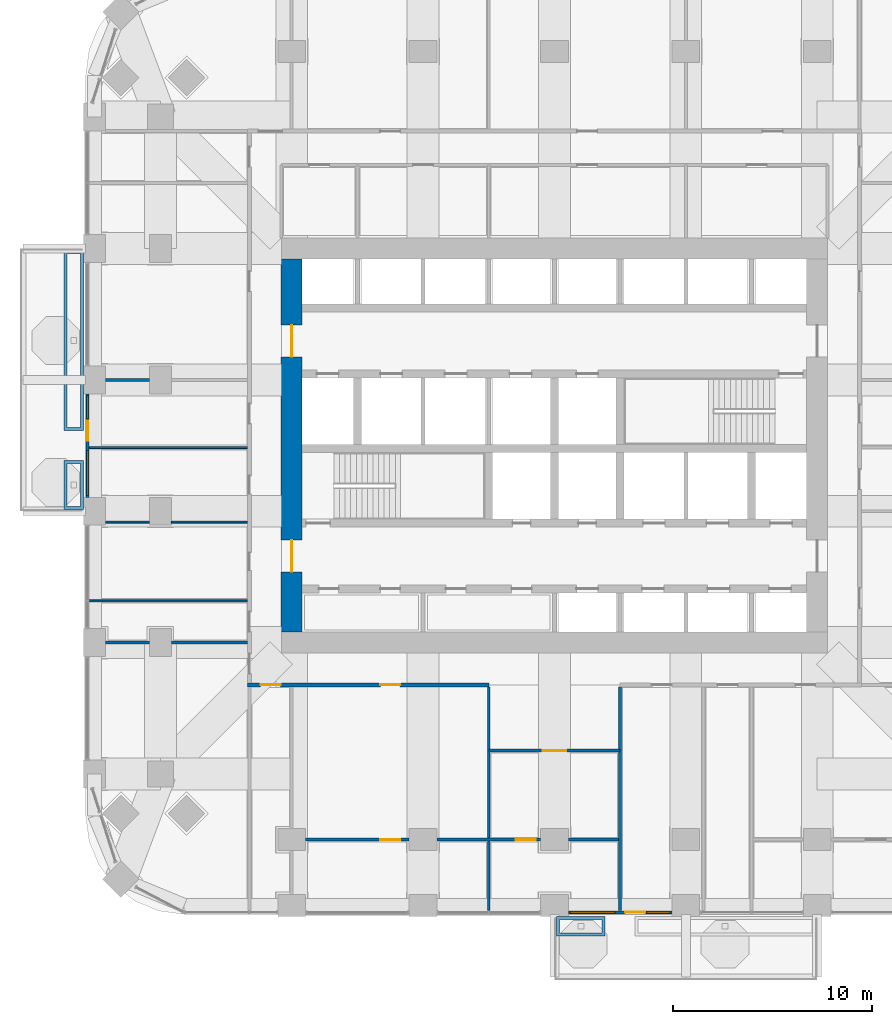
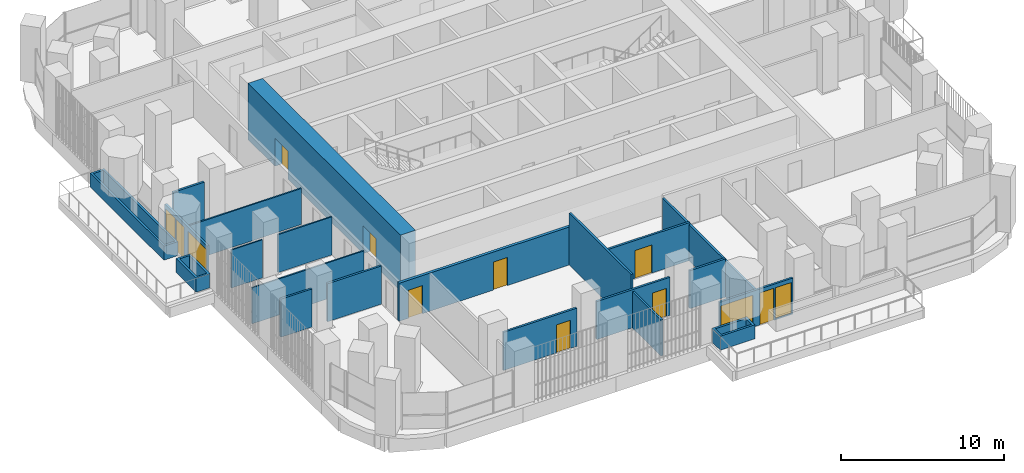
# One storey, part 14 of 23: 21 walls, 9 doors, 4 windows, 13 openings.
"""IFC4 building model written with IfcOpenShell, lengths in metres."""

from ifc_helpers import new_model, si_unit, direction, frame, frame_2d, origin, place, context, subcontext, project, spatial, polyline, rectangle, outline, extrude, material, layer, layer_set, type_object, element, fill, save


model = new_model("IFC4")

# Units and contexts
model_context = context("Model", 3, precision=1e-05, world=origin(), true_north=direction((0.0, 1.0)))
body_context = subcontext(model_context, "Body", "Model", "MODEL_VIEW")
ifc_project = project(units=[si_unit("LENGTHUNIT", "METRE"), si_unit("AREAUNIT", "SQUARE_METRE"), si_unit("VOLUMEUNIT", "CUBIC_METRE"), si_unit("PLANEANGLEUNIT", "RADIAN"), si_unit("MASSUNIT", "GRAM", prefix="KILO")], contexts=[model_context])

# Site, building, storey
site_placement = place(None, origin())
site = spatial("IfcSite", under=ifc_project, at=site_placement, CompositionType="ELEMENT")
building_placement = place(site_placement, origin())
building = spatial("IfcBuilding", under=site, at=building_placement, Name="Cobogo Forest Laboratory Tower", CompositionType="ELEMENT")
storey_placement = place(building_placement, frame((0.0, 0.0, 128.39990234375)))
storey = spatial("IfcBuildingStorey", under=building, at=storey_placement, Name="L29", CompositionType="ELEMENT", Elevation=128.39990234375)

# Wall, openings, doors
ifc_material_1 = material(Name="Concrete HA-50 (C50/60)", Category="concrete")
ifc_layer_1 = layer(ifc_material_1, 1.050048828125)
ifc_layer_set_1 = layer_set([ifc_layer_1], Name="CW1050 core outer wall 1050")
wall_type_1 = type_object("IfcWallType", Name="CW1050 core outer wall 1050", PredefinedType="SHEAR", material=ifc_layer_set_1)
wall_1_placement = place(storey_placement, frame((13.199951171875, 32.47509765625, 0.0), z_axis=(0.0, 0.0, 1.0), x_axis=(0.0, -1.0, 0.0)))
wall_1 = element("IfcWall", 1, at=wall_1_placement, inside=storey, type_object=wall_type_1, Name="Core wall CO-W L29", PredefinedType="SHEAR", context=body_context, shape_type="SweptSolid", body=[
    extrude(rectangle(XDim=18.75, YDim=1.050048828125, at=frame_2d((9.375, 0.0))), origin(), (0.0, 0.0, 1.0), 4.2001953125),
])
opening_1_placement = place(wall_1_placement, frame((14.125, 0.0, 0.0)))
opening_1 = element("IfcOpeningElement", 2, at=opening_1_placement, cuts=wall_1, Name="Opening L29-D19", PredefinedType="OPENING", context=body_context, shape_type="SweptSolid", body=[
    extrude(rectangle(XDim=1.60009765625, YDim=2.10009765625, at=frame_2d((0.800048828125, 1.050048828125))), frame((0.0, 0.534912109375, 0.0), z_axis=(0.0, -1.0, 0.0), x_axis=(1.0, 0.0, 0.0)), (0.0, 0.0, 1.0), 1.070068359375),
])
opening_2_placement = place(wall_1_placement, frame((3.324951171875, 0.0, 0.0)))
opening_2 = element("IfcOpeningElement", 3, at=opening_2_placement, cuts=wall_1, Name="Opening L29-D31", PredefinedType="OPENING", context=body_context, shape_type="SweptSolid", body=[
    extrude(rectangle(XDim=1.60009765625, YDim=2.10009765625, at=frame_2d((0.800048828125, 1.050048828125))), frame((0.0, 0.534912109375, 0.0), z_axis=(0.0, -1.0, 0.0), x_axis=(1.0, 0.0, 0.0)), (0.0, 0.0, 1.0), 1.070068359375),
])
ifc_material_2 = material(Name="Steel fire door", Category="steel")
door_type_1 = type_object("IfcDoorType", Name="DS2 protected lobby door pair 1600 EI2 60", OperationType="DOUBLE_DOOR_DOUBLE_SWING", PredefinedType="DOOR", material=ifc_material_2)
door_1_placement = place(opening_1_placement, origin())
door_1 = element("IfcDoor", 4, at=door_1_placement, inside=storey, type_object=door_type_1, Name="Door L29-CO-W-S", OperationType="DOUBLE_DOOR_DOUBLE_SWING", OverallHeight=2.10009765625, OverallWidth=1.60009765625, PredefinedType="DOOR", context=body_context, shape_type="SweptSolid", body=[
    extrude(rectangle(XDim=1.60009765625, YDim=2.10009765625, at=frame_2d((0.800048828125, 1.050048828125))), frame((0.0, 0.02490234375, 0.0), z_axis=(0.0, -1.0, 0.0), x_axis=(1.0, 0.0, 0.0)), (0.0, 0.0, 1.0), 0.050048828125),
])
fill(opening_1, door_1)
door_2_placement = place(opening_2_placement, origin())
door_2 = element("IfcDoor", 5, at=door_2_placement, inside=storey, type_object=door_type_1, Name="Door L29-CO-W-N", OperationType="DOUBLE_DOOR_DOUBLE_SWING", OverallHeight=2.10009765625, OverallWidth=1.60009765625, PredefinedType="DOOR", context=body_context, shape_type="SweptSolid", body=[
    extrude(rectangle(XDim=1.60009765625, YDim=2.10009765625, at=frame_2d((0.800048828125, 1.050048828125))), frame((0.0, 0.02490234375, 0.0), z_axis=(0.0, -1.0, 0.0), x_axis=(1.0, 0.0, 0.0)), (0.0, 0.0, 1.0), 0.050048828125),
])
fill(opening_2, door_2)

# Wall, openings, door, windows
ifc_material_3 = material(Name="Aluminium framed glazed screen", Category="aluminium")
ifc_layer_2 = layer(ifc_material_3, 0.14990234375)
ifc_layer_set_2 = layer_set([ifc_layer_2], Name="GS1 glazed door screen 150")
wall_type_2 = type_object("IfcWallType", Name="GS1 glazed door screen 150", PredefinedType="SOLIDWALL", material=ifc_layer_set_2)
wall_2_placement = place(storey_placement, frame((27.10009765625, -0.35009765625, 0.0), z_axis=(0.0, 0.0, 1.0), x_axis=(1.0, 0.0, 0.0)))
wall_2 = element("IfcWall", 6, at=wall_2_placement, inside=storey, type_object=wall_type_2, Name="Door screen BAL-S1 L29", PredefinedType="SOLIDWALL", context=body_context, shape_type="SweptSolid", body=[
    extrude(rectangle(XDim=5.199951171875, YDim=0.14990234375, at=frame_2d((2.60009765625, 0.0))), origin(), (0.0, 0.0, 1.0), 2.7001953125),
])
opening_3_placement = place(wall_2_placement, frame((2.85009765625, 0.0, 0.0)))
opening_3 = element("IfcOpeningElement", 7, at=opening_3_placement, cuts=wall_2, Name="Opening L29-D01", PredefinedType="OPENING", context=body_context, shape_type="SweptSolid", body=[
    extrude(rectangle(XDim=1.0, YDim=2.39990234375, at=frame_2d((0.5, 1.199951171875))), frame((0.0, 0.0849609375, 0.0), z_axis=(0.0, -1.0, 0.0), x_axis=(1.0, 0.0, 0.0)), (0.0, 0.0, 1.0), 0.169921875),
])
opening_4_placement = place(wall_2_placement, frame((0.10009765625, 0.0, 0.10009765625)))
opening_4 = element("IfcOpeningElement", 8, at=opening_4_placement, cuts=wall_2, Name="Opening L29-W01", PredefinedType="OPENING", context=body_context, shape_type="SweptSolid", body=[
    extrude(rectangle(XDim=2.25, YDim=2.300048828125, at=frame_2d((1.125, 1.14990234375))), frame((0.0, 0.0849609375, 0.0), z_axis=(0.0, -1.0, 0.0), x_axis=(1.0, 0.0, 0.0)), (0.0, 0.0, 1.0), 0.169921875),
])
opening_5_placement = place(wall_2_placement, frame((3.949951171875, 0.0, 0.10009765625)))
opening_5 = element("IfcOpeningElement", 9, at=opening_5_placement, cuts=wall_2, Name="Opening L29-W02", PredefinedType="OPENING", context=body_context, shape_type="SweptSolid", body=[
    extrude(rectangle(XDim=1.14990234375, YDim=2.300048828125, at=frame_2d((0.574951171875, 1.14990234375))), frame((0.0, 0.0849609375, 0.0), z_axis=(0.0, -1.0, 0.0), x_axis=(1.0, 0.0, 0.0)), (0.0, 0.0, 1.0), 0.169921875),
])
ifc_material_4 = material(Name="Aluminium glazed door", Category="aluminium")
door_type_2 = type_object("IfcDoorType", Name="DB1 balcony door 1000 glazed", OperationType="SINGLE_SWING_LEFT", PredefinedType="DOOR", material=ifc_material_4)
door_3_placement = place(opening_3_placement, origin())
door_3 = element("IfcDoor", 10, at=door_3_placement, inside=storey, type_object=door_type_2, Name="Door L29-BAL-S1", OperationType="SINGLE_SWING_RIGHT", OverallHeight=2.39990234375, OverallWidth=1.0, PredefinedType="DOOR", context=body_context, shape_type="SweptSolid", body=[
    extrude(rectangle(XDim=1.0, YDim=2.39990234375, at=frame_2d((0.5, 1.199951171875))), frame((0.0, 0.02490234375, 0.0), z_axis=(0.0, -1.0, 0.0), x_axis=(1.0, 0.0, 0.0)), (0.0, 0.0, 1.0), 0.050048828125),
])
fill(opening_3, door_3)
ifc_material_5 = material(Name="Aluminium framed glazing", Category="aluminium")
window_type_1 = type_object("IfcWindowType", Name="WG15 fixed glazed light 2250x2300", PartitioningType="SINGLE_PANEL", PredefinedType="WINDOW", material=ifc_material_5)
window_1_placement = place(opening_4_placement, origin())
window_1 = element("IfcWindow", 11, at=window_1_placement, inside=storey, type_object=window_type_1, Name="Window L29-BAL-S1-1", OverallHeight=2.300048828125, OverallWidth=2.25, PartitioningType="SINGLE_PANEL", PredefinedType="WINDOW", context=body_context, shape_type="SweptSolid", body=[
    extrude(rectangle(XDim=2.25, YDim=2.300048828125, at=frame_2d((1.125, 1.14990234375))), frame((0.0, 0.030029296875, 0.0), z_axis=(0.0, -1.0, 0.0), x_axis=(1.0, 0.0, 0.0)), (0.0, 0.0, 1.0), 0.06005859375),
])
fill(opening_4, window_1)
window_type_2 = type_object("IfcWindowType", Name="WG16 fixed glazed light 1150x2300", PartitioningType="SINGLE_PANEL", PredefinedType="WINDOW", material=ifc_material_5)
window_2_placement = place(opening_5_placement, origin())
window_2 = element("IfcWindow", 12, at=window_2_placement, inside=storey, type_object=window_type_2, Name="Window L29-BAL-S1-2", OverallHeight=2.300048828125, OverallWidth=1.14990234375, PartitioningType="SINGLE_PANEL", PredefinedType="WINDOW", context=body_context, shape_type="SweptSolid", body=[
    extrude(rectangle(XDim=1.14990234375, YDim=2.300048828125, at=frame_2d((0.574951171875, 1.14990234375))), frame((0.0, 0.030029296875, 0.0), z_axis=(0.0, -1.0, 0.0), x_axis=(1.0, 0.0, 0.0)), (0.0, 0.0, 1.0), 0.06005859375),
])
fill(opening_5, window_2)

wall_3_placement = place(storey_placement, frame((2.949951171875, 25.699951171875, 0.0), z_axis=(0.0, 0.0, 1.0), x_axis=(0.0, -1.0, 0.0)))
wall_3 = element("IfcWall", 13, at=wall_3_placement, inside=storey, type_object=wall_type_2, Name="Door screen BAL-W1 L29", PredefinedType="SOLIDWALL", context=body_context, shape_type="SweptSolid", body=[
    extrude(rectangle(XDim=5.199951171875, YDim=0.14990234375, at=frame_2d((2.60009765625, 0.0))), origin(), (0.0, 0.0, 1.0), 2.7001953125),
])
opening_6_placement = place(wall_3_placement, frame((1.35009765625, 0.0, 0.0)))
opening_6 = element("IfcOpeningElement", 14, at=opening_6_placement, cuts=wall_3, Name="Opening L29-D26", PredefinedType="OPENING", context=body_context, shape_type="SweptSolid", body=[
    extrude(rectangle(XDim=1.0, YDim=2.39990234375, at=frame_2d((0.5, 1.199951171875))), frame((0.0, 0.0849609375, 0.0), z_axis=(0.0, -1.0, 0.0), x_axis=(1.0, 0.0, 0.0)), (0.0, 0.0, 1.0), 0.169921875),
])
opening_7_placement = place(wall_3_placement, frame((0.10009765625, 0.0, 0.10009765625)))
opening_7 = element("IfcOpeningElement", 15, at=opening_7_placement, cuts=wall_3, Name="Opening L29-W05", PredefinedType="OPENING", context=body_context, shape_type="SweptSolid", body=[
    extrude(rectangle(XDim=1.14990234375, YDim=2.300048828125, at=frame_2d((0.574951171875, 1.14990234375))), frame((0.0, 0.0849609375, 0.0), z_axis=(0.0, -1.0, 0.0), x_axis=(1.0, 0.0, 0.0)), (0.0, 0.0, 1.0), 0.169921875),
])
opening_8_placement = place(wall_3_placement, frame((2.85009765625, 0.0, 0.10009765625)))
opening_8 = element("IfcOpeningElement", 16, at=opening_8_placement, cuts=wall_3, Name="Opening L29-W03", PredefinedType="OPENING", context=body_context, shape_type="SweptSolid", body=[
    extrude(rectangle(XDim=2.25, YDim=2.300048828125, at=frame_2d((1.125, 1.14990234375))), frame((0.0, 0.0849609375, 0.0), z_axis=(0.0, -1.0, 0.0), x_axis=(1.0, 0.0, 0.0)), (0.0, 0.0, 1.0), 0.169921875),
])
door_4_placement = place(opening_6_placement, origin())
door_4 = element("IfcDoor", 17, at=door_4_placement, inside=storey, type_object=door_type_2, Name="Door L29-BAL-W1", OperationType="SINGLE_SWING_LEFT", OverallHeight=2.39990234375, OverallWidth=1.0, PredefinedType="DOOR", context=body_context, shape_type="SweptSolid", body=[
    extrude(rectangle(XDim=1.0, YDim=2.39990234375, at=frame_2d((0.5, 1.199951171875))), frame((0.0, 0.02490234375, 0.0), z_axis=(0.0, -1.0, 0.0), x_axis=(1.0, 0.0, 0.0)), (0.0, 0.0, 1.0), 0.050048828125),
])
fill(opening_6, door_4)
window_3_placement = place(opening_8_placement, origin())
window_3 = element("IfcWindow", 18, at=window_3_placement, inside=storey, type_object=window_type_1, Name="Window L29-BAL-W1-2", OverallHeight=2.300048828125, OverallWidth=2.25, PartitioningType="SINGLE_PANEL", PredefinedType="WINDOW", context=body_context, shape_type="SweptSolid", body=[
    extrude(rectangle(XDim=2.25, YDim=2.300048828125, at=frame_2d((1.125, 1.14990234375))), frame((0.0, 0.030029296875, 0.0), z_axis=(0.0, -1.0, 0.0), x_axis=(1.0, 0.0, 0.0)), (0.0, 0.0, 1.0), 0.06005859375),
])
fill(opening_8, window_3)
window_4_placement = place(opening_7_placement, origin())
window_4 = element("IfcWindow", 19, at=window_4_placement, inside=storey, type_object=window_type_2, Name="Window L29-BAL-W1-1", OverallHeight=2.300048828125, OverallWidth=1.14990234375, PartitioningType="SINGLE_PANEL", PredefinedType="WINDOW", context=body_context, shape_type="SweptSolid", body=[
    extrude(rectangle(XDim=1.14990234375, YDim=2.300048828125, at=frame_2d((0.574951171875, 1.14990234375))), frame((0.0, 0.030029296875, 0.0), z_axis=(0.0, -1.0, 0.0), x_axis=(1.0, 0.0, 0.0)), (0.0, 0.0, 1.0), 0.06005859375),
])
fill(opening_7, window_4)

# Wall, opening, door
ifc_material_6 = material(Name="Gypsum board on steel studs", Category="steel")
ifc_layer_3 = layer(ifc_material_6, 0.14990234375)
ifc_layer_set_3 = layer_set([ifc_layer_3], Name="PT1 laboratory partition 150")
wall_type_3 = type_object("IfcWallType", Name="PT1 laboratory partition 150", PredefinedType="PARTITIONING", material=ifc_layer_set_3)
wall_4_placement = place(storey_placement, frame((13.89990234375, 3.300048828125, 0.0), z_axis=(0.0, 0.0, 1.0), x_axis=(1.0, 0.0, 0.0)))
wall_4 = element("IfcWall", 20, at=wall_4_placement, inside=storey, type_object=wall_type_3, Name="Partition STRIP-S-1 L29", PredefinedType="PARTITIONING", context=body_context, shape_type="SweptSolid", body=[
    extrude(rectangle(XDim=5.2001953125, YDim=0.14990234375, at=frame_2d((2.60009765625, 0.0))), origin(), (0.0, 0.0, 1.0), 2.85009765625),
])
opening_9_placement = place(wall_4_placement, frame((3.75, 0.0, 0.0)))
opening_9 = element("IfcOpeningElement", 21, at=opening_9_placement, cuts=wall_4, Name="Opening L29-D02", PredefinedType="OPENING", context=body_context, shape_type="SweptSolid", body=[
    extrude(rectangle(XDim=1.0, YDim=2.10009765625, at=frame_2d((0.5, 1.050048828125))), frame((0.0, 0.0849609375, 0.0), z_axis=(0.0, -1.0, 0.0), x_axis=(1.0, 0.0, 0.0)), (0.0, 0.0, 1.0), 0.169921875),
])
ifc_material_7 = material(Name="Timber fire door", Category="wood")
door_type_3 = type_object("IfcDoorType", Name="FD2 fire door 1000 EI2 30", OperationType="SINGLE_SWING_LEFT", PredefinedType="DOOR", material=ifc_material_7)
door_5_placement = place(opening_9_placement, origin())
door_5 = element("IfcDoor", 22, at=door_5_placement, inside=storey, type_object=door_type_3, Name="Door L29-S2W", OperationType="SINGLE_SWING_RIGHT", OverallHeight=2.10009765625, OverallWidth=1.0, PredefinedType="DOOR", context=body_context, shape_type="SweptSolid", body=[
    extrude(rectangle(XDim=1.0, YDim=2.10009765625, at=frame_2d((0.5, 1.050048828125))), frame((0.0, 0.02490234375, 0.0), z_axis=(0.0, -1.0, 0.0), x_axis=(1.0, 0.0, 0.0)), (0.0, 0.0, 1.0), 0.050048828125),
])
fill(opening_9, door_5)

wall_5_placement = place(storey_placement, frame((20.5, 3.300048828125, 0.0), z_axis=(0.0, 0.0, 1.0), x_axis=(1.0, 0.0, 0.0)))
wall_5 = element("IfcWall", 23, at=wall_5_placement, inside=storey, type_object=wall_type_3, Name="Partition STRIP-S-2 L29", PredefinedType="PARTITIONING", context=body_context, shape_type="SweptSolid", body=[
    extrude(rectangle(XDim=5.199951171875, YDim=0.14990234375, at=frame_2d((2.60009765625, 0.0))), origin(), (0.0, 0.0, 1.0), 2.85009765625),
])
opening_10_placement = place(wall_5_placement, frame((3.949951171875, 0.0, 0.0)))
opening_10 = element("IfcOpeningElement", 24, at=opening_10_placement, cuts=wall_5, Name="Opening L29-D03", PredefinedType="OPENING", context=body_context, shape_type="SweptSolid", body=[
    extrude(rectangle(XDim=1.0, YDim=2.10009765625, at=frame_2d((0.5, 1.050048828125))), frame((0.0, 0.0849609375, 0.0), z_axis=(0.0, -1.0, 0.0), x_axis=(1.0, 0.0, 0.0)), (0.0, 0.0, 1.0), 0.169921875),
])
door_6_placement = place(opening_10_placement, origin())
door_6 = element("IfcDoor", 25, at=door_6_placement, inside=storey, type_object=door_type_3, Name="Door L29-S3W", OperationType="SINGLE_SWING_RIGHT", OverallHeight=2.10009765625, OverallWidth=1.0, PredefinedType="DOOR", context=body_context, shape_type="SweptSolid", body=[
    extrude(rectangle(XDim=1.0, YDim=2.10009765625, at=frame_2d((0.5, 1.050048828125))), frame((0.0, 0.02490234375, 0.0), z_axis=(0.0, -1.0, 0.0), x_axis=(1.0, 0.0, 0.0)), (0.0, 0.0, 1.0), 0.050048828125),
])
fill(opening_10, door_6)

# Wall
wall_6_placement = place(storey_placement, frame((27.10009765625, 3.300048828125, 0.0), z_axis=(0.0, 0.0, 1.0), x_axis=(1.0, 0.0, 0.0)))
element("IfcWall", 26, at=wall_6_placement, inside=storey, type_object=wall_type_3, Name="Partition STRIP-S-3 L29", PredefinedType="PARTITIONING", context=body_context, shape_type="SweptSolid", body=[
    extrude(rectangle(XDim=2.52490234375, YDim=0.14990234375, at=frame_2d((1.262451171875, 0.0))), origin(), (0.0, 0.0, 1.0), 2.85009765625),
])

# Wall, opening, door
wall_7_placement = place(storey_placement, frame((23.10009765625, 7.77490234375, 0.0), z_axis=(0.0, 0.0, 1.0), x_axis=(1.0, 0.0, 0.0)))
wall_7 = element("IfcWall", 27, at=wall_7_placement, inside=storey, type_object=wall_type_3, Name="Partition NODE-S-1 L29", PredefinedType="PARTITIONING", context=body_context, shape_type="SweptSolid", body=[
    extrude(rectangle(XDim=6.599853515625, YDim=0.14990234375, at=frame_2d((3.2998046875, 0.0))), origin(), (0.0, 0.0, 1.0), 2.85009765625),
])
opening_11_placement = place(wall_7_placement, frame((2.699951171875, 0.0, 0.0)))
opening_11 = element("IfcOpeningElement", 28, at=opening_11_placement, cuts=wall_7, Name="Opening L29-D05", PredefinedType="OPENING", context=body_context, shape_type="SweptSolid", body=[
    extrude(rectangle(XDim=1.199951171875, YDim=2.10009765625, at=frame_2d((0.60009765625, 1.050048828125))), frame((0.0, 0.0849609375, 0.0), z_axis=(0.0, -1.0, 0.0), x_axis=(1.0, 0.0, 0.0)), (0.0, 0.0, 1.0), 0.169921875),
])
ifc_material_8 = material(Name="Timber door", Category="wood")
door_type_4 = type_object("IfcDoorType", Name="D2 laboratory door 1200 unequal pair", OperationType="DOUBLE_DOOR_SINGLE_SWING", PredefinedType="DOOR", material=ifc_material_8)
door_7_placement = place(opening_11_placement, origin())
door_7 = element("IfcDoor", 29, at=door_7_placement, inside=storey, type_object=door_type_4, Name="Door L29-S3", OperationType="DOUBLE_DOOR_SINGLE_SWING", OverallHeight=2.10009765625, OverallWidth=1.199951171875, PredefinedType="DOOR", context=body_context, shape_type="SweptSolid", body=[
    extrude(rectangle(XDim=1.199951171875, YDim=2.10009765625, at=frame_2d((0.60009765625, 1.050048828125))), frame((0.0, 0.02490234375, 0.0), z_axis=(0.0, -1.0, 0.0), x_axis=(1.0, 0.0, 0.0)), (0.0, 0.0, 1.0), 0.050048828125),
])
fill(opening_11, door_7)

# Walls
wall_8_placement = place(storey_placement, frame((23.10009765625, -0.27001953125, 0.0), z_axis=(0.0, 0.0, 1.0), x_axis=(0.0, 1.0, 0.0)))
element("IfcWall", 30, at=wall_8_placement, inside=storey, type_object=wall_type_3, Name="Partition CUT-S23.1a-1 L29", PredefinedType="PARTITIONING", context=body_context, shape_type="SweptSolid", body=[
    extrude(rectangle(XDim=3.4951171875, YDim=0.14990234375, at=frame_2d((1.74755859375, 0.0))), origin(), (0.0, 0.0, 1.0), 2.7001953125),
])
wall_9_placement = place(storey_placement, frame((23.10009765625, 3.375, 0.0), z_axis=(0.0, 0.0, 1.0), x_axis=(0.0, 1.0, 0.0)))
element("IfcWall", 31, at=wall_9_placement, inside=storey, type_object=wall_type_3, Name="Partition CUT-S23.1b-1 L29", PredefinedType="PARTITIONING", context=body_context, shape_type="SweptSolid", body=[
    extrude(rectangle(XDim=7.60009765625, YDim=0.14990234375, at=frame_2d((3.800048828125, 0.0))), origin(), (0.0, 0.0, 1.0), 3.900146484375),
])
wall_10_placement = place(storey_placement, frame((29.699951171875, -0.27001953125, 0.0), z_axis=(0.0, 0.0, 1.0), x_axis=(0.0, 1.0, 0.0)))
element("IfcWall", 32, at=wall_10_placement, inside=storey, type_object=wall_type_3, Name="Partition CUT-S29.7-1 L29", PredefinedType="PARTITIONING", context=body_context, shape_type="SweptSolid", body=[
    extrude(rectangle(XDim=11.2451171875, YDim=0.14990234375, at=frame_2d((5.62255859375, 0.0))), origin(), (0.0, 0.0, 1.0), 2.7001953125),
])
wall_11_placement = place(storey_placement, frame((3.85009765625, 13.199951171875, 0.0), z_axis=(0.0, 0.0, 1.0), x_axis=(1.0, 0.0, 0.0)))
element("IfcWall", 33, at=wall_11_placement, inside=storey, type_object=wall_type_3, Name="Partition CUT-W13.2-1 L29", PredefinedType="PARTITIONING", context=body_context, shape_type="SweptSolid", body=[
    extrude(rectangle(XDim=2.199951171875, YDim=0.14990234375, at=frame_2d((1.10009765625, 0.0))), origin(), (0.0, 0.0, 1.0), 2.85009765625),
])
wall_12_placement = place(storey_placement, frame((7.14990234375, 13.199951171875, 0.0), z_axis=(0.0, 0.0, 1.0), x_axis=(1.0, 0.0, 0.0)))
element("IfcWall", 34, at=wall_12_placement, inside=storey, type_object=wall_type_3, Name="Partition CUT-W13.2-2 L29", PredefinedType="PARTITIONING", context=body_context, shape_type="SweptSolid", body=[
    extrude(rectangle(XDim=3.8251953125, YDim=0.14990234375, at=frame_2d((1.91259765625, 0.0))), origin(), (0.0, 0.0, 1.0), 2.85009765625),
])
wall_13_placement = place(storey_placement, frame((3.85009765625, 26.39990234375, 0.0), z_axis=(0.0, 0.0, 1.0), x_axis=(1.0, 0.0, 0.0)))
element("IfcWall", 35, at=wall_13_placement, inside=storey, type_object=wall_type_3, Name="Partition CUT-W26.4-1 L29", PredefinedType="PARTITIONING", context=body_context, shape_type="SweptSolid", body=[
    extrude(rectangle(XDim=2.199951171875, YDim=0.14990234375, at=frame_2d((1.10009765625, 0.0))), origin(), (0.0, 0.0, 1.0), 2.85009765625),
])

# Wall, openings, doors
ifc_layer_4 = layer(ifc_material_6, 0.199951171875)
ifc_layer_set_4 = layer_set([ifc_layer_4], Name="PT2 fire-rated corridor partition 200")
wall_type_4 = type_object("IfcWallType", Name="PT2 fire-rated corridor partition 200", PredefinedType="PARTITIONING", material=ifc_layer_set_4)
wall_14_placement = place(storey_placement, frame((10.97509765625, 11.074951171875, 0.0), z_axis=(0.0, 0.0, 1.0), x_axis=(1.0, 0.0, 0.0)))
wall_14 = element("IfcWall", 36, at=wall_14_placement, inside=storey, type_object=wall_type_4, Name="Partition CORR-S-1 L29", PredefinedType="PARTITIONING", context=body_context, shape_type="SweptSolid", body=[
    extrude(rectangle(XDim=12.125, YDim=0.199951171875, at=frame_2d((6.0625, 0.0))), origin(), (0.0, 0.0, 1.0), 2.85009765625),
])
opening_12_placement = place(wall_14_placement, frame((0.66259765625, 0.0, 0.0)))
opening_12 = element("IfcOpeningElement", 37, at=opening_12_placement, cuts=wall_14, Name="Opening L29-D06", PredefinedType="OPENING", context=body_context, shape_type="SweptSolid", body=[
    extrude(rectangle(XDim=1.0, YDim=2.10009765625, at=frame_2d((0.5, 1.050048828125))), frame((0.0, 0.10986328125, 0.0), z_axis=(0.0, -1.0, 0.0), x_axis=(1.0, 0.0, 0.0)), (0.0, 0.0, 1.0), 0.219970703125),
])
opening_13_placement = place(wall_14_placement, frame((6.675048828125, 0.0, 0.0)))
opening_13 = element("IfcOpeningElement", 38, at=opening_13_placement, cuts=wall_14, Name="Opening L29-D07", PredefinedType="OPENING", context=body_context, shape_type="SweptSolid", body=[
    extrude(rectangle(XDim=1.0, YDim=2.10009765625, at=frame_2d((0.5, 1.050048828125))), frame((0.0, 0.10986328125, 0.0), z_axis=(0.0, -1.0, 0.0), x_axis=(1.0, 0.0, 0.0)), (0.0, 0.0, 1.0), 0.219970703125),
])
door_type_5 = type_object("IfcDoorType", Name="FD1 fire door 1000 EI2 60", OperationType="SINGLE_SWING_LEFT", PredefinedType="DOOR", material=ifc_material_2)
door_8_placement = place(opening_13_placement, origin())
door_8 = element("IfcDoor", 39, at=door_8_placement, inside=storey, type_object=door_type_5, Name="Door L29-S2", OperationType="SINGLE_SWING_RIGHT", OverallHeight=2.10009765625, OverallWidth=1.0, PredefinedType="DOOR", context=body_context, shape_type="SweptSolid", body=[
    extrude(rectangle(XDim=1.0, YDim=2.10009765625, at=frame_2d((0.5, 1.050048828125))), frame((0.0, 0.02490234375, 0.0), z_axis=(0.0, -1.0, 0.0), x_axis=(1.0, 0.0, 0.0)), (0.0, 0.0, 1.0), 0.050048828125),
])
fill(opening_13, door_8)
door_9_placement = place(opening_12_placement, origin())
door_9 = element("IfcDoor", 40, at=door_9_placement, inside=storey, type_object=door_type_3, Name="Door L29-S1", OperationType="SINGLE_SWING_LEFT", OverallHeight=2.10009765625, OverallWidth=1.0, PredefinedType="DOOR", context=body_context, shape_type="SweptSolid", body=[
    extrude(rectangle(XDim=1.0, YDim=2.10009765625, at=frame_2d((0.5, 1.050048828125))), frame((0.0, 0.02490234375, 0.0), z_axis=(0.0, -1.0, 0.0), x_axis=(1.0, 0.0, 0.0)), (0.0, 0.0, 1.0), 0.050048828125),
])
fill(opening_12, door_9)

# Walls
ifc_layer_5 = layer(ifc_material_6, 0.10009765625)
ifc_layer_set_5 = layer_set([ifc_layer_5], Name="PT3 toilet partition 100")
wall_type_5 = type_object("IfcWallType", Name="PT3 toilet partition 100", PredefinedType="PARTITIONING", material=ifc_layer_set_5)
wall_15_placement = place(storey_placement, frame((3.030029296875, 15.300048828125, 0.0), z_axis=(0.0, 0.0, 1.0), x_axis=(1.0, 0.0, 0.0)))
element("IfcWall", 41, at=wall_15_placement, inside=storey, type_object=wall_type_5, Name="Partition SVC-W1-1 L29", PredefinedType="PARTITIONING", context=body_context, shape_type="SweptSolid", body=[
    extrude(rectangle(XDim=7.945068359375, YDim=0.10009765625, at=frame_2d((3.97265625, 0.0))), origin(), (0.0, 0.0, 1.0), 2.7001953125),
])
wall_16_placement = place(storey_placement, frame((3.85009765625, 19.25, 0.0), z_axis=(0.0, 0.0, 1.0), x_axis=(1.0, 0.0, 0.0)))
element("IfcWall", 42, at=wall_16_placement, inside=storey, type_object=wall_type_5, Name="Partition SVC-W2-1 L29", PredefinedType="PARTITIONING", context=body_context, shape_type="SweptSolid", body=[
    extrude(rectangle(XDim=2.199951171875, YDim=0.10009765625, at=frame_2d((1.10009765625, 0.0))), origin(), (0.0, 0.0, 1.0), 2.85009765625),
])
wall_17_placement = place(storey_placement, frame((7.14990234375, 19.25, 0.0), z_axis=(0.0, 0.0, 1.0), x_axis=(1.0, 0.0, 0.0)))
element("IfcWall", 43, at=wall_17_placement, inside=storey, type_object=wall_type_5, Name="Partition SVC-W2-2 L29", PredefinedType="PARTITIONING", context=body_context, shape_type="SweptSolid", body=[
    extrude(rectangle(XDim=3.8251953125, YDim=0.10009765625, at=frame_2d((1.91259765625, 0.0))), origin(), (0.0, 0.0, 1.0), 2.85009765625),
])
wall_18_placement = place(storey_placement, frame((3.030029296875, 23.0, 0.0), z_axis=(0.0, 0.0, 1.0), x_axis=(1.0, 0.0, 0.0)))
element("IfcWall", 44, at=wall_18_placement, inside=storey, type_object=wall_type_5, Name="Partition SVC-W3-1 L29", PredefinedType="PARTITIONING", context=body_context, shape_type="SweptSolid", body=[
    extrude(rectangle(XDim=7.945068359375, YDim=0.10009765625, at=frame_2d((3.97265625, 0.0))), origin(), (0.0, 0.0, 1.0), 2.7001953125),
])
ifc_material_9 = material(Name="Concrete HA-40 (C40/50)", Category="concrete")
ifc_layer_6 = layer(ifc_material_9, 0.14990234375)
ifc_layer_set_6 = layer_set([ifc_layer_6], Name="Planter box 1000x1050")
wall_type_6 = type_object("IfcWallType", Name="Planter box 1000x1050", PredefinedType="USERDEFINED", material=ifc_layer_set_6)
wall_19_placement = place(storey_placement, origin())
element("IfcWall", 45, at=wall_19_placement, inside=storey, type_object=wall_type_6, Name="Planter BAL-S1-1 L29", ObjectType="PLANTER", PredefinedType="USERDEFINED", context=body_context, shape_type="SweptSolid", body=[
    extrude(outline(polyline([(26.5, -1.550048828125), (28.949951171875, -1.550048828125), (28.949951171875, -0.550048828125), (26.5, -0.550048828125), (26.5, -1.550048828125)]), holes=[polyline([(26.64990234375, -1.39990234375), (28.800048828125, -1.39990234375), (28.800048828125, -0.699951171875), (26.64990234375, -0.699951171875), (26.64990234375, -1.39990234375)])]), origin(), (0.0, 0.0, 1.0), 1.050048828125),
])
wall_20_placement = place(storey_placement, origin())
element("IfcWall", 46, at=wall_20_placement, inside=storey, type_object=wall_type_6, Name="Planter BAL-W1-1 L29", ObjectType="PLANTER", PredefinedType="USERDEFINED", context=body_context, shape_type="SweptSolid", body=[
    extrude(outline(polyline([(1.75, 19.89990234375), (2.75, 19.89990234375), (2.75, 22.35009765625), (1.75, 22.35009765625), (1.75, 19.89990234375)]), holes=[polyline([(1.89990234375, 20.050048828125), (2.60009765625, 20.050048828125), (2.60009765625, 22.199951171875), (1.89990234375, 22.199951171875), (1.89990234375, 20.050048828125)])]), origin(), (0.0, 0.0, 1.0), 1.050048828125),
])
wall_21_placement = place(storey_placement, origin())
element("IfcWall", 47, at=wall_21_placement, inside=storey, type_object=wall_type_6, Name="Planter BAL-W1-2 L29", ObjectType="PLANTER", PredefinedType="USERDEFINED", context=body_context, shape_type="SweptSolid", body=[
    extrude(outline(polyline([(1.75, 23.85009765625), (2.75, 23.85009765625), (2.75, 32.89990234375), (1.75, 32.89990234375), (1.75, 23.85009765625)]), holes=[polyline([(1.89990234375, 24.0), (2.60009765625, 24.0), (2.60009765625, 32.75), (1.89990234375, 32.75), (1.89990234375, 24.0)])]), origin(), (0.0, 0.0, 1.0), 1.050048828125),
])

save(model, "model.ifc")
